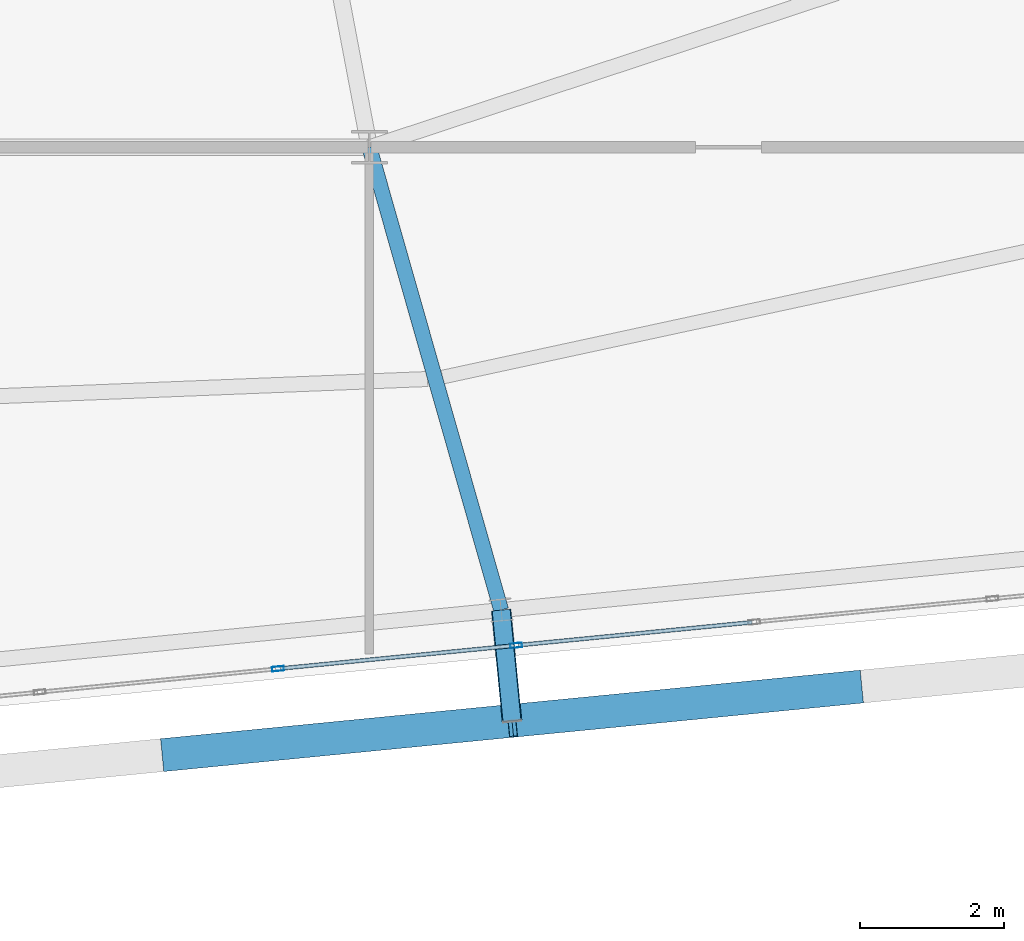
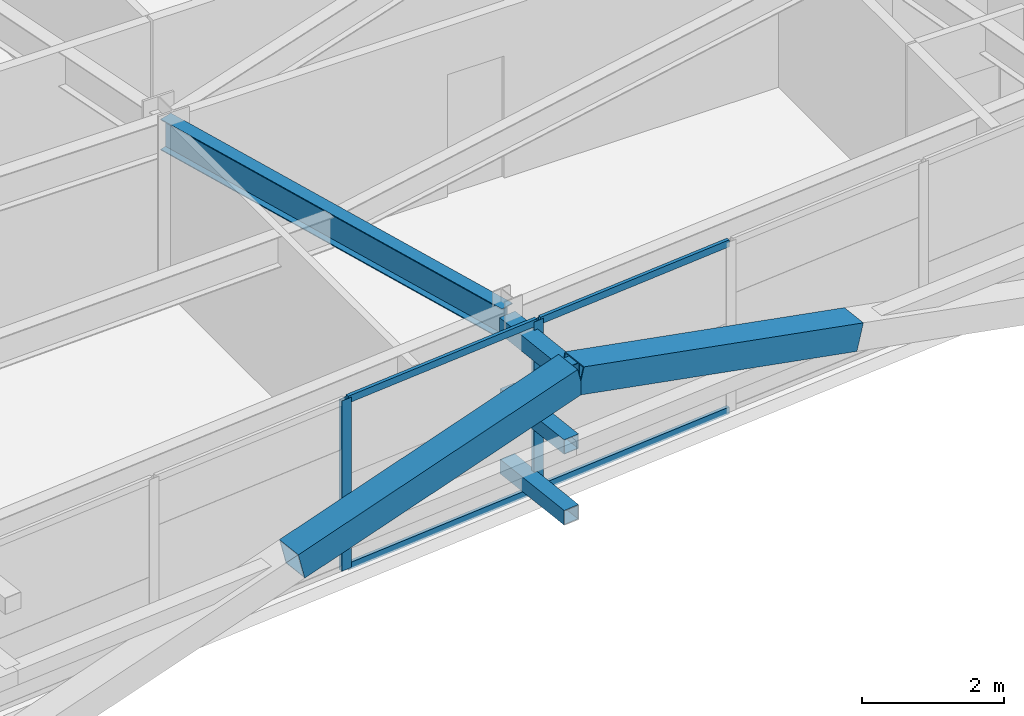
# One storey, part 17 of 53: 11 members, 1 beam, 1 element without a shape of its own.
"""IFC4 building model written with IfcOpenShell, lengths in metres."""

import ifcopenshell
import ifcopenshell.guid

model = None  # the IFC model being written
_history = None  # IfcOwnerHistory: only IFC2X3 demands one
_inside = {}  # id of a spatial element -> (the spatial element, [elements in it])
_under = {}  # id of a project, library or spatial element -> (it, [spatial elements below it])
_declared = {}  # id of a project -> (the project, [libraries it declares])
_typed = {}  # id of a type object -> (the type object, [elements of that type])
_made_of = {}  # id of a material, layer set ... -> (it, [elements and type objects made of it])


def new_model(schema):
    """Start an empty IFC model of exactly this schema.

    Asked for "IFC4X3", IfcOpenShell would pick the latest addendum, in which some entities
    have other attributes; the version numbers below select the first issue.
    IFC2X3 requires an IfcOwnerHistory on every rooted entity: one is made here for all.
    """
    global model, _history
    if schema == "IFC4X3":
        model = ifcopenshell.file(schema_version=(4, 3, 0, 0))
    else:
        model = ifcopenshell.file(schema=schema)
    _inside.clear()
    _under.clear()
    _declared.clear()
    _typed.clear()
    _made_of.clear()
    _history = None
    if model.schema == "IFC2X3":
        org = make("IfcOrganization", Name="unknown")
        user = make(
            "IfcPersonAndOrganization",
            ThePerson=make("IfcPerson", FamilyName="unknown"),
            TheOrganization=org,
        )
        app = make(
            "IfcApplication",
            ApplicationDeveloper=org,
            Version="unknown",
            ApplicationFullName="unknown",
            ApplicationIdentifier="unknown",
        )
        _history = make(
            "IfcOwnerHistory",
            OwningUser=user,
            OwningApplication=app,
            ChangeAction="ADDED",
            CreationDate=0,
        )
    return model


def make(cls, **values):
    """One entity of the class cls with the attributes given. An attribute that is None is left unset."""
    return model.create_entity(
        cls, **{name: value for name, value in values.items() if value is not None}
    )


def rooted(cls, **values):
    """An entity with a GlobalId (a new one), such as an element, a storey or a relation."""
    return make(cls, GlobalId=ifcopenshell.guid.new(), OwnerHistory=_history, **values)


def si_unit(unit_type, name, prefix=None):
    """IfcSIUnit, for example si_unit("LENGTHUNIT", "METRE", prefix="MILLI")."""
    return make("IfcSIUnit", UnitType=unit_type, Prefix=prefix, Name=name)


def assignment(units):
    """IfcUnitAssignment: the units of a project."""
    return None if units is None else make("IfcUnitAssignment", Units=units)


def point(xyz):
    """IfcCartesianPoint."""
    return None if xyz is None else make("IfcCartesianPoint", Coordinates=xyz)


def direction(xyz):
    """IfcDirection."""
    return None if xyz is None else make("IfcDirection", DirectionRatios=xyz)


def frame(location, z_axis=None, x_axis=None):
    """IfcAxis2Placement3D, a coordinate frame: its origin and axes. An axis left out is left unset."""
    return make(
        "IfcAxis2Placement3D",
        Location=point(location),
        Axis=direction(z_axis),
        RefDirection=direction(x_axis),
    )


def frame_2d(location, x_axis=None):
    """IfcAxis2Placement2D, a coordinate frame in the plane: its origin and x axis."""
    return make(
        "IfcAxis2Placement2D", Location=point(location), RefDirection=direction(x_axis)
    )


def origin():
    """The frame at (0, 0, 0) with its axes left unset."""
    return frame((0.0, 0.0, 0.0))


def origin_2d():
    """The frame at (0, 0) in the plane with its x axis left unset."""
    return frame_2d((0.0, 0.0))


def place(relative_to, where):
    """IfcLocalPlacement: puts the frame where relative to a parent placement (None: the world)."""
    return make(
        "IfcLocalPlacement", PlacementRelTo=relative_to, RelativePlacement=where
    )


def context(
    kind, dimensions, precision=None, world=None, true_north=None, identifier=None
):
    """IfcGeometricRepresentationContext, for example the 3D "Model" context."""
    return make(
        "IfcGeometricRepresentationContext",
        ContextIdentifier=identifier,
        ContextType=kind,
        CoordinateSpaceDimension=dimensions,
        Precision=precision,
        WorldCoordinateSystem=world,
        TrueNorth=true_north,
    )


def subcontext(parent, identifier, kind, view, scale=None):
    """IfcGeometricRepresentationSubContext, for example "Body" below "Model"."""
    return make(
        "IfcGeometricRepresentationSubContext",
        ContextIdentifier=identifier,
        ContextType=kind,
        ParentContext=parent,
        TargetScale=scale,
        TargetView=view,
    )


def project(units=None, contexts=None):
    """IfcProject with its units and contexts."""
    return rooted(
        "IfcProject",
        Name="project",
        RepresentationContexts=contexts,
        UnitsInContext=assignment(units),
    )


def spatial(cls, under=None, at=None, **own):
    """A site, building, storey or space (cls), placed at a placement, below another one or the project."""
    s = rooted(cls, ObjectPlacement=at, **own)
    if under is not None:
        _under.setdefault(under.id(), (under, []))[1].append(s)
    return s


def profile(cls, at=None, kind="AREA", **sizes):
    """A parametric profile (cls). Its sizes go by their IFC names, for example OverallWidth=200.0."""
    return make(cls, ProfileType=kind, Position=at, **sizes)


def hollow_rectangle(**sizes):
    """IfcRectangleHollowProfileDef."""
    return profile("IfcRectangleHollowProfileDef", **sizes)


def i_section(**sizes):
    """IfcIShapeProfileDef."""
    return profile("IfcIShapeProfileDef", **sizes)


def extrude(swept, where, along, depth):
    """IfcExtrudedAreaSolid: the profile swept, set in the frame where, extruded along a direction by depth."""
    return make(
        "IfcExtrudedAreaSolid",
        SweptArea=swept,
        Position=where,
        ExtrudedDirection=direction(along),
        Depth=depth,
    )


def shape(context_of_items, identifier, shape_type, items):
    """IfcShapeRepresentation: the items that make up one representation, for example the "Body"."""
    return make(
        "IfcShapeRepresentation",
        ContextOfItems=context_of_items,
        RepresentationIdentifier=identifier,
        RepresentationType=shape_type,
        Items=items,
    )


def source(mapping_origin, context_of_items, identifier, shape_type, items):
    """IfcRepresentationMap: a shape defined once, which mapped items show again and again."""
    return make(
        "IfcRepresentationMap",
        MappingOrigin=mapping_origin,
        MappedRepresentation=shape(context_of_items, identifier, shape_type, items),
    )


def transform(
    local_origin,
    x_axis=None,
    y_axis=None,
    z_axis=None,
    scale=None,
    scale2=None,
    scale3=None,
    uniform=True,
):
    """IfcCartesianTransformationOperator3D, or its non-uniform kind. x_axis, y_axis, z_axis: its Axis1, 2, 3."""
    if uniform:
        return make(
            "IfcCartesianTransformationOperator3D",
            Axis1=direction(x_axis),
            Axis2=direction(y_axis),
            LocalOrigin=point(local_origin),
            Scale=scale,
            Axis3=direction(z_axis),
        )
    return make(
        "IfcCartesianTransformationOperator3DnonUniform",
        Axis1=direction(x_axis),
        Axis2=direction(y_axis),
        LocalOrigin=point(local_origin),
        Scale=scale,
        Axis3=direction(z_axis),
        Scale2=scale2,
        Scale3=scale3,
    )


def mapped(mapping_source, mapping_target):
    """IfcMappedItem: shows the shape of a source again, moved by a transform."""
    return make(
        "IfcMappedItem", MappingSource=mapping_source, MappingTarget=mapping_target
    )


def material(Name=None, Category=None):
    """IfcMaterial."""
    return make("IfcMaterial", Name=Name, Category=Category)


def layer(
    of_material, thickness, ventilated=None, Name=None, Category=None, Priority=None
):
    """IfcMaterialLayer: one layer of a wall or slab, of a material (None: an air gap)."""
    return make(
        "IfcMaterialLayer",
        Material=of_material,
        LayerThickness=thickness,
        IsVentilated=ventilated,
        Name=Name,
        Category=Category,
        Priority=Priority,
    )


def layer_set(layers, Name=None):
    """IfcMaterialLayerSet."""
    return make("IfcMaterialLayerSet", MaterialLayers=layers, LayerSetName=Name)


def material_profile(
    of_material, cross_section, Name=None, Category=None, Priority=None
):
    """IfcMaterialProfile: a cross section and its material."""
    return make(
        "IfcMaterialProfile",
        Name=Name,
        Material=of_material,
        Profile=cross_section,
        Priority=Priority,
        Category=Category,
    )


def profile_set(profiles, Name=None, composite=None):
    """IfcMaterialProfileSet."""
    return make(
        "IfcMaterialProfileSet",
        Name=Name,
        MaterialProfiles=profiles,
        CompositeProfile=composite,
    )


def made_of(thing, what):
    """Note that an element or type object is made of a material, layer set ...; save() writes the relation."""
    if what is not None:
        _made_of.setdefault(what.id(), (what, []))[1].append(thing)
    return thing


def type_object(cls, material=None, **own):
    """A type object (cls), such as IfcWallType, which elements share."""
    return made_of(rooted(cls, **own), material)


def element(
    cls,
    number,
    at=None,
    inside=None,
    cuts=None,
    type_object=None,
    material=None,
    context=None,
    identifier="Body",
    shape_type=None,
    held_by="IfcProductDefinitionShape",
    body=None,
    shapes=None,
    **own,
):
    """One element of the class cls, such as IfcWall. Its Tag is "e" and its number.

    at: its placement. inside: the storey or other place that contains it. cuts: it is an
    opening in that element (IfcRelVoidsElement). A single representation is given by context,
    identifier, shape_type and body (its items); several are given by shapes. held_by: the class
    of the entity that holds the representations. save() writes the other relations.
    """
    e = rooted(cls, Tag="e%d" % number, ObjectPlacement=at, **own)
    if body is not None:
        shapes = [shape(context, identifier, shape_type, body)]
    if shapes is not None:
        e.Representation = make(held_by, Representations=shapes)
    if inside is not None:
        _inside.setdefault(inside.id(), (inside, []))[1].append(e)
    if cuts is not None:
        rooted(
            "IfcRelVoidsElement", RelatingBuildingElement=cuts, RelatedOpeningElement=e
        )
    if type_object is not None:
        _typed.setdefault(type_object.id(), (type_object, []))[1].append(e)
    return made_of(e, material)


def aggregate(whole, parts):
    """IfcRelAggregates: a whole, such as a stair, and the parts it consists of."""
    return rooted("IfcRelAggregates", RelatingObject=whole, RelatedObjects=parts)


def save(model, path):
    """Write the relations noted so far, then the file.

    IfcRelAggregates (storeys below a building ...), IfcRelContainedInSpatialStructure (elements
    in a storey), IfcRelDefinesByType, IfcRelAssociatesMaterial and IfcRelDeclares: one each for
    every whole, place, type object, material and project.
    """
    for whole, parts in _under.values():
        aggregate(whole, parts)
    for where, things in _inside.values():
        rooted(
            "IfcRelContainedInSpatialStructure",
            RelatedElements=things,
            RelatingStructure=where,
        )
    for kind, things in _typed.values():
        rooted("IfcRelDefinesByType", RelatedObjects=things, RelatingType=kind)
    for what, things in _made_of.values():
        rooted("IfcRelAssociatesMaterial", RelatedObjects=things, RelatingMaterial=what)
    for by, libraries in _declared.values():
        rooted("IfcRelDeclares", RelatingContext=by, RelatedDefinitions=libraries)
    model.write(path)


model = new_model("IFC4")

# Units and contexts
model_context = context("Model", 3, precision=1e-05, world=origin(), true_north=direction((0.0, 1.0)))
body_context = subcontext(model_context, "Body", "Model", "MODEL_VIEW")
ifc_project = project(units=[si_unit("LENGTHUNIT", "METRE"), si_unit("AREAUNIT", "SQUARE_METRE"), si_unit("VOLUMEUNIT", "CUBIC_METRE"), si_unit("PLANEANGLEUNIT", "RADIAN"), si_unit("MASSUNIT", "GRAM", prefix="KILO")], contexts=[model_context])

# Site, building, storey
site_placement = place(None, origin())
site = spatial("IfcSite", under=ifc_project, at=site_placement, CompositionType="ELEMENT")
building_placement = place(site_placement, origin())
building = spatial("IfcBuilding", under=site, at=building_placement, Name="Taldren Reach Tower", CompositionType="ELEMENT")
storey_placement = place(building_placement, frame((0.0, 0.0, 80.85009765625)))
storey = spatial("IfcBuildingStorey", under=building, at=storey_placement, Name="L24", CompositionType="ELEMENT", Elevation=80.85009765625)

# Members
ifc_material_1 = material(Name="Steel Gr 450 (C450L0)", Category="steel")
ifc_material_profile_1 = material_profile(ifc_material_1, hollow_rectangle(XDim=0.27490234375, YDim=0.27490234375, WallThickness=0.00927734375, at=origin_2d()), Name="275x275x9.3SHS")
ifc_profile_set_1 = profile_set([ifc_material_profile_1], Name="Steel Gr 450 (C450L0)")
member_type_1 = type_object("IfcMemberType", Name="MB-TIE273", PredefinedType="STRUT", material=ifc_profile_set_1)
shared_shape_1 = source(origin(), body_context, "Body", "SweptSolid", [
    extrude(hollow_rectangle(XDim=0.27490234375, YDim=0.27490234375, WallThickness=0.00927734375, at=origin_2d()), origin(), (0.0, 0.0, 1.0), 1.5498046875),
])
member_1_placement = place(storey_placement, frame((43.83544921875, 2.75390625, 2.64990234375), z_axis=(0.097663201064, -0.995219523099, 0.0), x_axis=(0.995219523099, 0.097663201064, 0.0)))
element("IfcMember", 1, at=member_1_placement, inside=storey, type_object=member_type_1, Name="Exoskeleton diaphragm tie strut B2-S4 L24", PredefinedType="STRUT", context=body_context, shape_type="MappedRepresentation", body=[
    mapped(shared_shape_1, transform((0.0, 0.0, 0.0), scale=1.0)),
])
ifc_material_2 = material(Name="Steel Gr 350 (C350L0)", Category="steel")
ifc_material_profile_2 = material_profile(ifc_material_2, hollow_rectangle(XDim=0.25, YDim=0.25, WallThickness=0.010009765625, at=origin_2d()), Name="250x250x10.0SHS")
ifc_profile_set_2 = profile_set([ifc_material_profile_2], Name="Steel Gr 350 (C350L0)")
member_type_2 = type_object("IfcMemberType", Name="MB-POST250", PredefinedType="POST", material=ifc_profile_set_2)
shared_shape_2 = source(origin(), body_context, "Body", "SweptSolid", [
    extrude(hollow_rectangle(XDim=0.25, YDim=0.25, WallThickness=0.010009765625, at=origin_2d()), origin(), (0.0, 0.0, 1.0), 1.5498046875),
])
for number, where, z_axis, x_axis, name in (
    (2, (43.83544921875, 2.75390625, 0.219970703125), (0.097663201064, -0.995219523099, 0.0), (0.995219523099, 0.097663201064, 0.0), "Exoskeleton base diaphragm tie strut B2-S4 L24"),
    (3, (43.83544921875, 2.75390625, 1.434814453125), (0.097663201064, -0.995219523099, 0.0), (0.995219523099, 0.097663201064, 0.0), "Exoskeleton mid-tier diaphragm tie B2-S4 L24"),
):
    element("IfcMember", number, at=place(storey_placement, frame(where, z_axis=z_axis, x_axis=x_axis)), inside=storey, type_object=member_type_2, Name=name, PredefinedType="POST", context=body_context, shape_type="MappedRepresentation", body=[
        mapped(shared_shape_2, transform((0.0, 0.0, 0.0), scale=1.0)),
    ])

# Beam
ifc_material_3 = material(Name="Steel Gr 350 (350PLUS)", Category="steel")
ifc_material_profile_3 = material_profile(ifc_material_3, i_section(OverallWidth=0.208984375, OverallDepth=0.532958984375, WebThickness=0.01025390625, FlangeThickness=0.015625, at=origin_2d()), Name="530UB92.4")
ifc_profile_set_3 = profile_set([ifc_material_profile_3], Name="Steel Gr 350 (350PLUS)")
beam_type = type_object("IfcBeamType", Name="BM-UB530A", PredefinedType="BEAM", material=ifc_profile_set_3)
shared_shape_3 = source(origin(), body_context, "Body", "SweptSolid", [
    extrude(i_section(OverallWidth=0.208984375, OverallDepth=0.532958984375, WebThickness=0.01025390625, FlangeThickness=0.015625, at=origin_2d()), origin(), (0.0, 0.0, 1.0), 6.7021484375),
])
beam_placement = place(storey_placement, frame((42.0, 9.199951171875, 2.663330078125), z_axis=(0.273855026091, -0.961770983491, 0.0), x_axis=(0.961770983491, 0.273855026091, 0.0)))
element("IfcBeam", 4, at=beam_placement, inside=storey, type_object=beam_type, Name="Primary floor girder B2-S4 L24", PredefinedType="BEAM", context=body_context, shape_type="MappedRepresentation", body=[
    mapped(shared_shape_3, transform((0.0, 0.0, 0.0), scale=1.0)),
])

# Members
ifc_material_profile_4 = material_profile(ifc_material_1, hollow_rectangle(XDim=0.4599609375, YDim=0.4599609375, WallThickness=0.01611328125, at=origin_2d()), Name="460x460x16.0SHS")
ifc_profile_set_4 = profile_set([ifc_material_profile_4], Name="Steel Gr 450 (C450L0)")
member_type_3 = type_object("IfcMemberType", Name="MB-EXO457", PredefinedType="BRACE", material=ifc_profile_set_4)
shared_shape_4 = source(origin(), body_context, "Body", "SweptSolid", [
    extrude(hollow_rectangle(XDim=0.4599609375, YDim=0.4599609375, WallThickness=0.01611328125, at=origin_2d()), origin(), (0.0, 0.0, 1.0), 4.990234375),
])
for number, where, z_axis, x_axis, name in (
    (5, (39.169921875, 0.739013671875, 1.434814453125), (0.965271056716, 0.094667992638, 0.243494883389), (-0.097605711627, 0.995225162995, 0.0), "Exoskeleton Diagrid Brace B2-S3 L24"),
    (6, (48.8037109375, 1.68359375, 1.434814453125), (-0.965275526283, -0.094619506732, 0.243496010862), (0.097555749586, -0.995230061706, 0.0), "Exoskeleton Diagrid Brace B2-S4 L24"),
):
    element("IfcMember", number, at=place(storey_placement, frame(where, z_axis=z_axis, x_axis=x_axis)), inside=storey, type_object=member_type_3, Name=name, PredefinedType="BRACE", context=body_context, shape_type="MappedRepresentation", body=[
        mapped(shared_shape_4, transform((0.0, 0.0, 0.0), scale=1.0)),
    ])

# Curtain wall, members
ifc_material_4 = material(Name="Aluminium and Low-E Glass Unitised System", Category="aluminium")
ifc_layer = layer(ifc_material_4, 0.159912109375)
ifc_layer_set = layer_set([ifc_layer], Name="Aluminium and Low-E Glass Unitised System")
curtain_wall_type = type_object("IfcCurtainWallType", Name="CW-SYS-3", PredefinedType="NOTDEFINED", material=ifc_layer_set)
curtain_wall_placement = place(storey_placement, origin())
curtain_wall = element("IfcCurtainWall", 7, at=curtain_wall_placement, inside=storey, type_object=curtain_wall_type, Name="Unitised curtain wall CW-L24-S", PredefinedType="NOTDEFINED")
ifc_material_5 = material(Name="Anodised Aluminium 6063-T6", Category="aluminium")
ifc_material_profile_5 = material_profile(ifc_material_5, hollow_rectangle(XDim=0.06494140625, YDim=0.1650390625, WallThickness=0.00390625, at=origin_2d()), Name="ALU-165x65x4RHS")
ifc_profile_set_5 = profile_set([ifc_material_profile_5], Name="Anodised Aluminium 6063-T6")
member_type_4 = type_object("IfcMemberType", Name="CW-MUL-165", PredefinedType="MULLION", material=ifc_profile_set_5)
shared_shape_5 = source(origin(), body_context, "Body", "SweptSolid", [
    extrude(hollow_rectangle(XDim=0.06494140625, YDim=0.1650390625, WallThickness=0.00390625, at=origin_2d()), origin(), (0.0, 0.0, 1.0), 2.929931640625),
])
member_2_placement = place(storey_placement, frame((40.72705078125, 1.936767578125, 0.0), z_axis=(0.0, 0.0, 1.0), x_axis=(-0.097582999046, 0.995227390247, 0.0)))
member_2 = element("IfcMember", 8, at=member_2_placement, type_object=member_type_4, Name="CW-3 mullion 9", PredefinedType="MULLION", context=body_context, shape_type="MappedRepresentation", body=[
    mapped(shared_shape_5, transform((0.0, 0.0, 0.0), scale=1.0)),
])
member_3_placement = place(storey_placement, frame((44.044677734375, 2.261962890625, 0.0), z_axis=(0.0, 0.0, 1.0), x_axis=(-0.097582999046, 0.995227390247, 0.0)))
member_3 = element("IfcMember", 9, at=member_3_placement, type_object=member_type_4, Name="CW-3 mullion 10", PredefinedType="MULLION", context=body_context, shape_type="MappedRepresentation", body=[
    mapped(shared_shape_5, transform((0.0, 0.0, 0.0), scale=1.0)),
])
ifc_material_profile_6 = material_profile(ifc_material_5, hollow_rectangle(XDim=0.054931640625, YDim=0.1201171875, WallThickness=0.0029296875, at=origin_2d()), Name="ALU-120x55x3RHS")
ifc_profile_set_6 = profile_set([ifc_material_profile_6], Name="Anodised Aluminium 6063-T6")
member_type_5 = type_object("IfcMemberType", Name="CW-TRN-135", PredefinedType="USERDEFINED", material=ifc_profile_set_6)
shared_shape_6 = source(origin(), body_context, "Body", "SweptSolid", [
    extrude(hollow_rectangle(XDim=0.054931640625, YDim=0.1201171875, WallThickness=0.0029296875, at=origin_2d()), origin(), (0.0, 0.0, 1.0), 3.268310546875),
])
member_4_placement = place(storey_placement, frame((40.759521484375, 1.93994140625, 0.02734375), z_axis=(0.99522980512, 0.097558367146, 0.0), x_axis=(-0.097558367146, 0.99522980512, 0.0)))
member_4 = element("IfcMember", 10, at=member_4_placement, type_object=member_type_5, Name="CW-3 transom 9.1", ObjectType="TRANSOM", PredefinedType="USERDEFINED", context=body_context, shape_type="MappedRepresentation", body=[
    mapped(shared_shape_6, transform((0.0, 0.0, 0.0), scale=1.0)),
])
member_5_placement = place(storey_placement, frame((40.759521484375, 1.93994140625, 2.90234375), z_axis=(0.99522980512, 0.097558367146, 0.0), x_axis=(-0.097558367146, 0.99522980512, 0.0)))
member_5 = element("IfcMember", 11, at=member_5_placement, type_object=member_type_5, Name="CW-3 transom 9.2", ObjectType="TRANSOM", PredefinedType="USERDEFINED", context=body_context, shape_type="MappedRepresentation", body=[
    mapped(shared_shape_6, transform((0.0, 0.0, 0.0), scale=1.0)),
])
member_6_placement = place(storey_placement, frame((44.076904296875, 2.26513671875, 0.02734375), z_axis=(0.99522980512, 0.097558367146, 0.0), x_axis=(-0.097558367146, 0.99522980512, 0.0)))
member_6 = element("IfcMember", 12, at=member_6_placement, type_object=member_type_5, Name="CW-3 transom 10.1", ObjectType="TRANSOM", PredefinedType="USERDEFINED", context=body_context, shape_type="MappedRepresentation", body=[
    mapped(shared_shape_6, transform((0.0, 0.0, 0.0), scale=1.0)),
])
member_7_placement = place(storey_placement, frame((44.076904296875, 2.26513671875, 2.90234375), z_axis=(0.99522980512, 0.097558367146, 0.0), x_axis=(-0.097558367146, 0.99522980512, 0.0)))
member_7 = element("IfcMember", 13, at=member_7_placement, type_object=member_type_5, Name="CW-3 transom 10.2", ObjectType="TRANSOM", PredefinedType="USERDEFINED", context=body_context, shape_type="MappedRepresentation", body=[
    mapped(shared_shape_6, transform((0.0, 0.0, 0.0), scale=1.0)),
])
aggregate(curtain_wall, [member_2, member_3, member_4, member_5, member_6, member_7])

save(model, "model.ifc")
